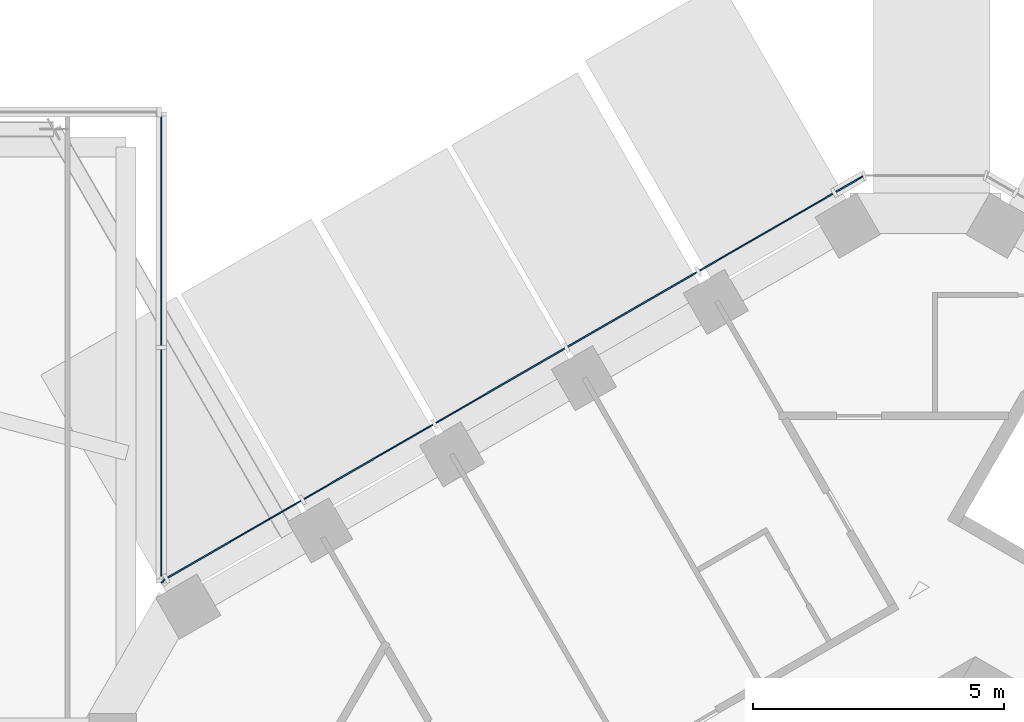
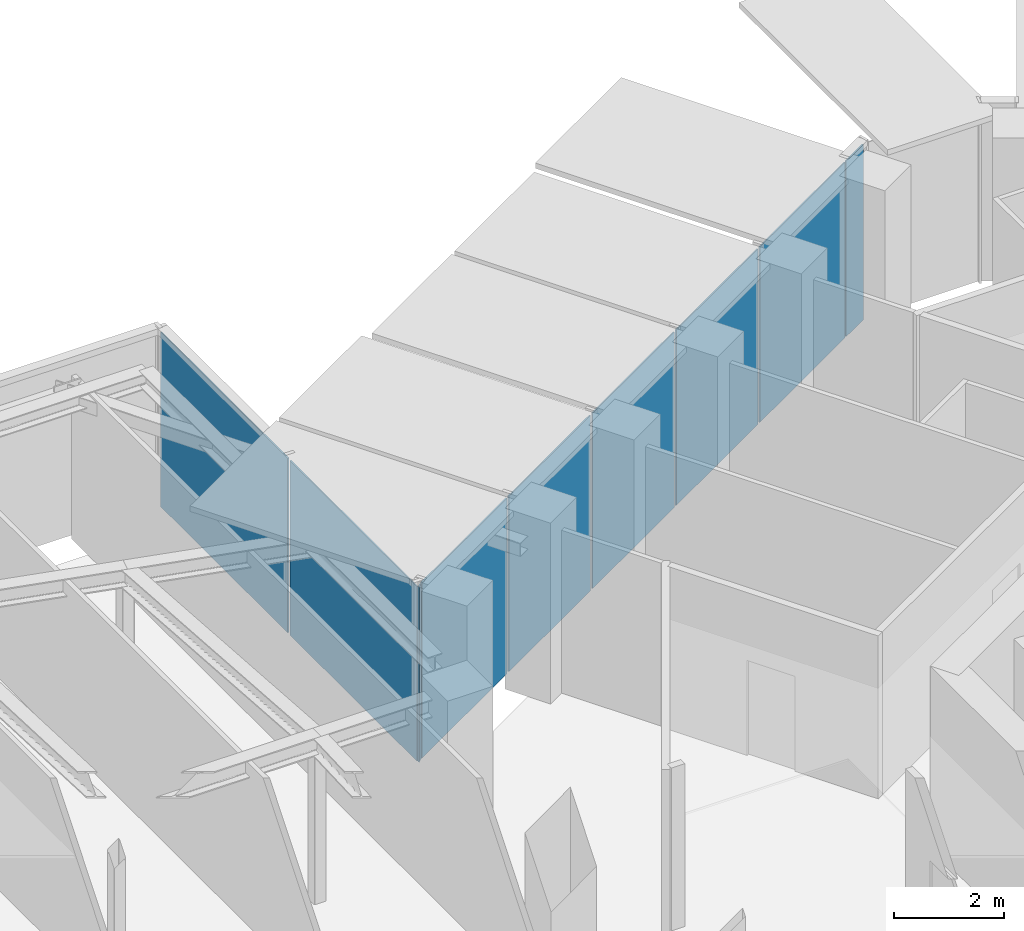
# One storey, part 14 of 24: 9 plates, 4 elements without a shape of their own.
"""IFC4 building model written with IfcOpenShell, lengths in metres."""

from ifc_helpers import new_model, si_unit, direction, frame, origin, origin_2d, place, context, subcontext, project, spatial, rectangle, extrude, material, layer, layer_set, type_object, element, aggregate, save


model = new_model("IFC4")

# Units and contexts
model_context = context("Model", 3, precision=1e-05, world=origin(), true_north=direction((0.0, 1.0)))
body_context = subcontext(model_context, "Body", "Model", "MODEL_VIEW")
ifc_project = project(units=[si_unit("LENGTHUNIT", "METRE"), si_unit("AREAUNIT", "SQUARE_METRE"), si_unit("VOLUMEUNIT", "CUBIC_METRE"), si_unit("PLANEANGLEUNIT", "RADIAN"), si_unit("MASSUNIT", "GRAM", prefix="KILO")], contexts=[model_context])

# Site, building, storey
site_placement = place(None, origin())
site = spatial("IfcSite", under=ifc_project, at=site_placement, CompositionType="ELEMENT")
building_placement = place(site_placement, origin())
building = spatial("IfcBuilding", under=site, at=building_placement, Name="Ayvan Gate Tower", CompositionType="ELEMENT")
storey_placement = place(building_placement, frame((0.0, 0.0, 210.10009765625)))
storey = spatial("IfcBuildingStorey", under=building, at=storey_placement, Name="L56", CompositionType="ELEMENT", Elevation=210.10009765625)

# Curtain wall, plates
ifc_material_1 = material(Name="Bronze anodised aluminium", Category="aluminium")
ifc_layer_1 = layer(ifc_material_1, 0.199951171875)
ifc_layer_set_1 = layer_set([ifc_layer_1], Name="Bronze anodised aluminium")
curtain_wall_type_1 = type_object("IfcCurtainWallType", Name="Stick curtain wall CW-2", PredefinedType="NOTDEFINED", material=ifc_layer_set_1)
curtain_wall_1_placement = place(storey_placement, origin())
curtain_wall_1 = element("IfcCurtainWall", 1, at=curtain_wall_1_placement, inside=storey, type_object=curtain_wall_type_1, Name="Stick curtain wall CW-2 L56", PredefinedType="NOTDEFINED")
ifc_material_2 = material(Name="Clear low-iron laminated glass", Category="glass")
ifc_layer_2 = layer(ifc_material_2, 0.028076171875)
ifc_layer_set_2 = layer_set([ifc_layer_2], Name="Clear low-iron laminated glass")
plate_type_1 = type_object("IfcPlateType", Name="Stick curtain wall CW-2 glass panel", PredefinedType="CURTAIN_PANEL", material=ifc_layer_set_2)
plate_1_placement = place(storey_placement, frame((-4.140869140625, 19.41748046875, 0.0), z_axis=(0.0, 0.0, 1.0), x_axis=(-0.866025403784, -0.5, 0.0)))
plate_1 = element("IfcPlate", 2, at=plate_1_placement, type_object=plate_type_1, Name="CW-2 glass panel 1", PredefinedType="CURTAIN_PANEL", context=body_context, shape_type="SweptSolid", body=[
    extrude(rectangle(XDim=3.091064453125, YDim=0.028076171875, at=origin_2d()), origin(), (0.0, 0.0, 1.0), 3.8798828125),
])
plate_2_placement = place(storey_placement, frame((-6.82080078125, 17.870361328125, 0.0), z_axis=(0.0, 0.0, 1.0), x_axis=(-0.866025403784, -0.5, 0.0)))
plate_2 = element("IfcPlate", 3, at=plate_2_placement, type_object=plate_type_1, Name="CW-2 glass panel 2", PredefinedType="CURTAIN_PANEL", context=body_context, shape_type="SweptSolid", body=[
    extrude(rectangle(XDim=2.9580078125, YDim=0.028076171875, at=origin_2d()), origin(), (0.0, 0.0, 1.0), 3.8798828125),
])
plate_3_placement = place(storey_placement, frame((-9.443115234375, 16.356201171875, 0.0), z_axis=(0.0, 0.0, 1.0), x_axis=(-0.866025403784, -0.5, 0.0)))
plate_3 = element("IfcPlate", 4, at=plate_3_placement, type_object=plate_type_1, Name="CW-2 glass panel 3", PredefinedType="CURTAIN_PANEL", context=body_context, shape_type="SweptSolid", body=[
    extrude(rectangle(XDim=2.9580078125, YDim=0.028076171875, at=origin_2d()), origin(), (0.0, 0.0, 1.0), 3.8798828125),
])
plate_4_placement = place(storey_placement, frame((-12.06591796875, 14.842041015625, 0.0), z_axis=(0.0, 0.0, 1.0), x_axis=(-0.866025403784, -0.5, 0.0)))
plate_4 = element("IfcPlate", 5, at=plate_4_placement, type_object=plate_type_1, Name="CW-2 glass panel 4", PredefinedType="CURTAIN_PANEL", context=body_context, shape_type="SweptSolid", body=[
    extrude(rectangle(XDim=2.958984375, YDim=0.028076171875, at=origin_2d()), origin(), (0.0, 0.0, 1.0), 3.8798828125),
])
plate_5_placement = place(storey_placement, frame((-14.745849609375, 13.294677734375, 0.0), z_axis=(0.0, 0.0, 1.0), x_axis=(-0.866025403784, -0.5, 0.0)))
plate_5 = element("IfcPlate", 6, at=plate_5_placement, type_object=plate_type_1, Name="CW-2 glass panel 5", PredefinedType="CURTAIN_PANEL", context=body_context, shape_type="SweptSolid", body=[
    extrude(rectangle(XDim=3.09033203125, YDim=0.028076171875, at=origin_2d()), origin(), (0.0, 0.0, 1.0), 3.8798828125),
])
aggregate(curtain_wall_1, [plate_1, plate_2, plate_3, plate_4, plate_5])

ifc_layer_3 = layer(ifc_material_1, 0.199951171875)
ifc_layer_set_3 = layer_set([ifc_layer_3], Name="Bronze anodised aluminium")
curtain_wall_type_2 = type_object("IfcCurtainWallType", Name="Stick curtain wall CW-4", PredefinedType="NOTDEFINED", material=ifc_layer_set_3)
curtain_wall_2_placement = place(storey_placement, origin())
curtain_wall_2 = element("IfcCurtainWall", 7, at=curtain_wall_2_placement, inside=storey, type_object=curtain_wall_type_2, Name="Stick curtain wall CW-4 L56", PredefinedType="NOTDEFINED")
ifc_layer_4 = layer(ifc_material_2, 0.028076171875)
ifc_layer_set_4 = layer_set([ifc_layer_4], Name="Clear low-iron laminated glass")
plate_type_2 = type_object("IfcPlateType", Name="Stick curtain wall CW-4 glass panel", PredefinedType="CURTAIN_PANEL", material=ifc_layer_set_4)
plate_6_placement = place(storey_placement, frame((-16.1845703125, 14.77587890625, 0.0), z_axis=(0.0, 0.0, 1.0), x_axis=(0.0, 1.0, 0.0)))
plate_6 = element("IfcPlate", 8, at=plate_6_placement, type_object=plate_type_2, Name="CW-4 glass panel 1", PredefinedType="CURTAIN_PANEL", context=body_context, shape_type="SweptSolid", body=[
    extrude(rectangle(XDim=4.602783203125, YDim=0.028076171875, at=origin_2d()), origin(), (0.0, 0.0, 1.0), 3.860107421875),
])
ifc_material_3 = material(Name="Pale anodised aluminium composite panel", Category="aluminium")
ifc_layer_5 = layer(ifc_material_3, 0.028076171875)
ifc_layer_set_5 = layer_set([ifc_layer_5], Name="Pale anodised aluminium composite panel")
plate_type_3 = type_object("IfcPlateType", Name="Stick curtain wall CW-4 solid panel", PredefinedType="CURTAIN_PANEL", material=ifc_layer_set_5)
plate_7_placement = place(storey_placement, frame((-16.1845703125, 19.45849609375, 0.0), z_axis=(0.0, 0.0, 1.0), x_axis=(0.0, 1.0, 0.0)))
plate_7 = element("IfcPlate", 9, at=plate_7_placement, type_object=plate_type_3, Name="CW-4 solid panel 2", PredefinedType="CURTAIN_PANEL", context=body_context, shape_type="SweptSolid", body=[
    extrude(rectangle(XDim=4.602783203125, YDim=0.028076171875, at=origin_2d()), origin(), (0.0, 0.0, 1.0), 3.860107421875),
])
aggregate(curtain_wall_2, [plate_6, plate_7])

# Curtain wall, plate
ifc_layer_6 = layer(ifc_material_1, 0.199951171875)
ifc_layer_set_6 = layer_set([ifc_layer_6], Name="Bronze anodised aluminium")
curtain_wall_type_3 = type_object("IfcCurtainWallType", Name="Stick curtain wall CW-6", PredefinedType="NOTDEFINED", material=ifc_layer_set_6)
curtain_wall_3_placement = place(storey_placement, origin())
curtain_wall_3 = element("IfcCurtainWall", 10, at=curtain_wall_3_placement, inside=storey, type_object=curtain_wall_type_3, Name="Stick curtain wall CW-6 L56", PredefinedType="NOTDEFINED")
ifc_layer_7 = layer(ifc_material_2, 0.028076171875)
ifc_layer_set_7 = layer_set([ifc_layer_7], Name="Clear low-iron laminated glass")
plate_type_4 = type_object("IfcPlateType", Name="Stick curtain wall CW-6 glass panel", PredefinedType="CURTAIN_PANEL", material=ifc_layer_set_7)
plate_8_placement = place(storey_placement, frame((-2.50146484375, 20.364013671875, 0.0), z_axis=(0.0, 0.0, 1.0), x_axis=(-0.866025403784, -0.5, 0.0)))
plate_8 = element("IfcPlate", 11, at=plate_8_placement, type_object=plate_type_4, Name="CW-6 glass panel 3", PredefinedType="CURTAIN_PANEL", context=body_context, shape_type="SweptSolid", body=[
    extrude(rectangle(XDim=0.625, YDim=0.028076171875, at=origin_2d()), origin(), (0.0, 0.0, 1.0), 3.8798828125),
])
aggregate(curtain_wall_3, [plate_8])

curtain_wall_4_placement = place(storey_placement, origin())
curtain_wall_4 = element("IfcCurtainWall", 12, at=curtain_wall_4_placement, inside=storey, type_object=curtain_wall_type_3, Name="Stick curtain wall CW-6 L56", PredefinedType="NOTDEFINED")
plate_9_placement = place(storey_placement, frame((-16.1494140625, 12.469482421875, 0.0), z_axis=(0.0, 0.0, 1.0), x_axis=(-0.707106781187, -0.707106781187, 0.0)))
plate_9 = element("IfcPlate", 13, at=plate_9_placement, type_object=plate_type_4, Name="CW-6 glass panel 1", PredefinedType="CURTAIN_PANEL", context=body_context, shape_type="SweptSolid", body=[
    extrude(rectangle(XDim=0.099365234375, YDim=0.028076171875, at=origin_2d()), origin(), (0.0, 0.0, 1.0), 3.8798828125),
])
aggregate(curtain_wall_4, [plate_9])

save(model, "model.ifc")
